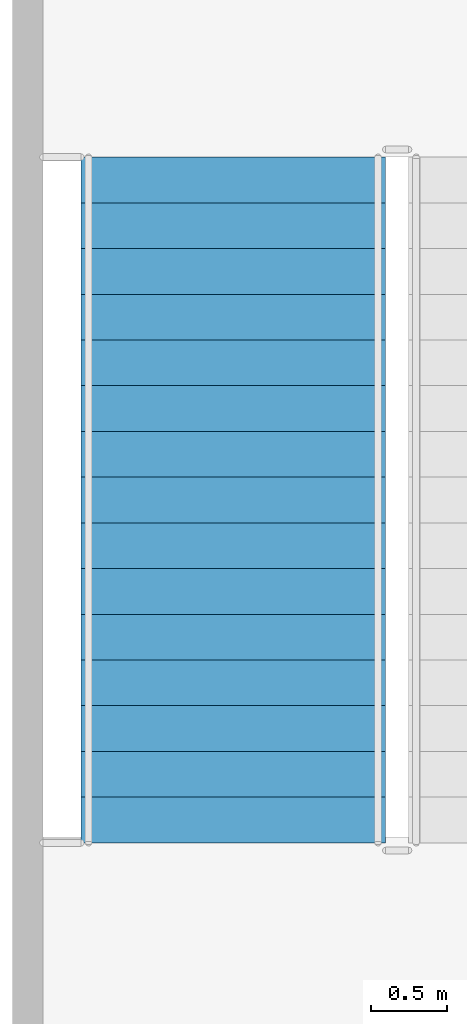
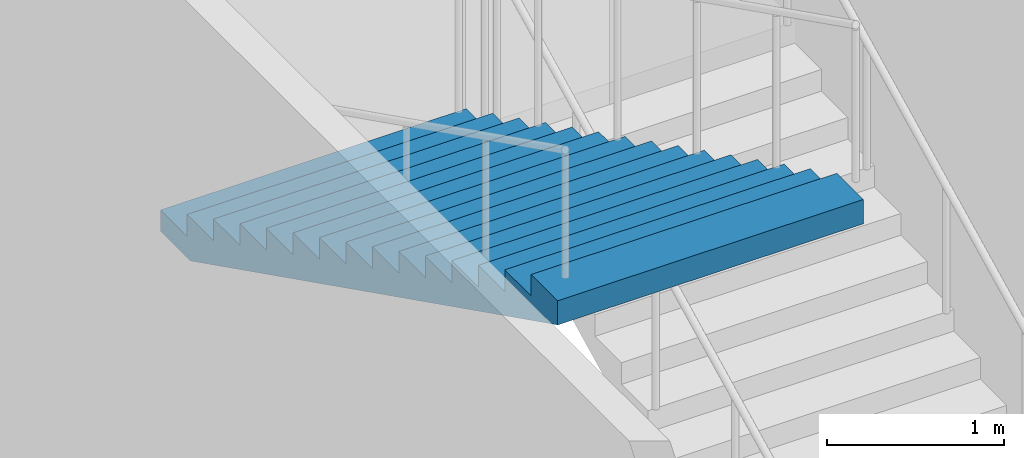
# One storey, part 45 of 91: 1 stair flight, 1 element without a shape of its own.
"""IFC4 building model written with IfcOpenShell, lengths in metres."""

from ifc_helpers import new_model, si_unit, direction, frame, origin, place, context, subcontext, project, spatial, faceted_brep, material, type_object, element, aggregate, save


model = new_model("IFC4")

# Units and contexts
model_context = context("Model", 3, precision=1e-05, world=origin(), true_north=direction((0.0, 1.0)))
body_context = subcontext(model_context, "Body", "Model", "MODEL_VIEW")
ifc_project = project(units=[si_unit("LENGTHUNIT", "METRE"), si_unit("AREAUNIT", "SQUARE_METRE"), si_unit("VOLUMEUNIT", "CUBIC_METRE"), si_unit("PLANEANGLEUNIT", "RADIAN"), si_unit("MASSUNIT", "GRAM", prefix="KILO")], contexts=[model_context])

# Site, building, storey
site_placement = place(None, origin())
site = spatial("IfcSite", under=ifc_project, at=site_placement, CompositionType="ELEMENT")
building_placement = place(site_placement, origin())
building = spatial("IfcBuilding", under=site, at=building_placement, Name="Kiln Court Media Centre", CompositionType="ELEMENT")
storey_placement = place(building_placement, frame((0.0, 0.0, 5.39990234375)))
storey = spatial("IfcBuildingStorey", under=building, at=storey_placement, Name="L01", CompositionType="ELEMENT", Elevation=5.39990234375)

# Stair, stair flight
ifc_material_1 = material(Name="Concrete C40/50", Category="concrete")
stair_type = type_object("IfcStairType", Name="Concrete C40/50 dog-leg stair 2000 wide, 150 riser", PredefinedType="HALF_TURN_STAIR", material=ifc_material_1)
stair_placement = place(storey_placement, origin())
stair = element("IfcStair", 1, at=stair_placement, inside=storey, type_object=stair_type, Name="ST-06 L01", PredefinedType="HALF_TURN_STAIR")
ifc_material_2 = material(Name="Concrete C40/50", Category="concrete")
stair_flight_type = type_object("IfcStairFlightType", Name="Concrete C40/50 stair flight 2000 wide, 150 riser, 300 going", PredefinedType="STRAIGHT", material=ifc_material_2)
stair_flight_placement = place(storey_placement, frame((1.449951171875, 40.89990234375, 2.400146484375), z_axis=(0.0, 0.0, 1.0), x_axis=(0.0, -1.0, 0.0)))
stair_flight = element("IfcStairFlight", 2, at=stair_flight_placement, type_object=stair_flight_type, Name="L01-ST-5005 flight 5011", NumberOfRisers=16, NumberOfTreads=15, PredefinedType="STRAIGHT", RiserHeight=0.15, TreadLength=0.3, context=body_context, shape_type="Brep", body=[
    faceted_brep([(0.335205078125, -1.0, 0.0), (4.5, -1.0, 2.08251953125), (4.5, -1.0, 2.25), (4.199951171875, -1.0, 2.25), (4.199951171875, -1.0, 2.10009765625), (3.89990234375, -1.0, 2.10009765625), (3.89990234375, -1.0, 1.949951171875), (3.60009765625, -1.0, 1.949951171875), (3.60009765625, -1.0, 1.800048828125), (3.300048828125, -1.0, 1.800048828125), (3.300048828125, -1.0, 1.64990234375), (3.0, -1.0, 1.64990234375), (3.0, -1.0, 1.5), (2.699951171875, -1.0, 1.5), (2.699951171875, -1.0, 1.35009765625), (2.39990234375, -1.0, 1.35009765625), (2.39990234375, -1.0, 1.199951171875), (2.10009765625, -1.0, 1.199951171875), (2.10009765625, -1.0, 1.050048828125), (1.800048828125, -1.0, 1.050048828125), (1.800048828125, -1.0, 0.89990234375), (1.5, -1.0, 0.89990234375), (1.5, -1.0, 0.75), (1.199951171875, -1.0, 0.75), (1.199951171875, -1.0, 0.60009765625), (0.89990234375, -1.0, 0.60009765625), (0.89990234375, -1.0, 0.449951171875), (0.60009765625, -1.0, 0.449951171875), (0.60009765625, -1.0, 0.300048828125), (0.300048828125, -1.0, 0.300048828125), (0.300048828125, -1.0, 0.14990234375), (0.0, -1.0, 0.14990234375), (0.0, -1.0, 0.0), (0.0, 1.0, 0.0), (0.0, 1.0, 0.14990234375), (0.300048828125, 1.0, 0.14990234375), (0.300048828125, 1.0, 0.300048828125), (0.60009765625, 1.0, 0.300048828125), (0.60009765625, 1.0, 0.449951171875), (0.89990234375, 1.0, 0.449951171875), (0.89990234375, 1.0, 0.60009765625), (1.199951171875, 1.0, 0.60009765625), (1.199951171875, 1.0, 0.75), (1.5, 1.0, 0.75), (1.5, 1.0, 0.89990234375), (1.800048828125, 1.0, 0.89990234375), (1.800048828125, 1.0, 1.050048828125), (2.10009765625, 1.0, 1.050048828125), (2.10009765625, 1.0, 1.199951171875), (2.39990234375, 1.0, 1.199951171875), (2.39990234375, 1.0, 1.35009765625), (2.699951171875, 1.0, 1.35009765625), (2.699951171875, 1.0, 1.5), (3.0, 1.0, 1.5), (3.0, 1.0, 1.64990234375), (3.300048828125, 1.0, 1.64990234375), (3.300048828125, 1.0, 1.800048828125), (3.60009765625, 1.0, 1.800048828125), (3.60009765625, 1.0, 1.949951171875), (3.89990234375, 1.0, 1.949951171875), (3.89990234375, 1.0, 2.10009765625), (4.199951171875, 1.0, 2.10009765625), (4.199951171875, 1.0, 2.25), (4.5, 1.0, 2.25), (4.5, 1.0, 2.08251953125), (0.335205078125, 1.0, 0.0), (4.5, 0.10009765625, 2.08251953125), (0.335205078125, 0.10009765625, 0.0), (4.5, 0.080078125, 2.08251953125), (0.335205078125, 0.080078125, 0.0), (4.5, 0.06005859375, 2.08251953125), (0.335205078125, 0.06005859375, 0.0), (4.5, 0.0400390625, 2.08251953125), (0.335205078125, 0.0400390625, 0.0), (4.5, 0.02001953125, 2.08251953125), (0.335205078125, 0.02001953125, 0.0), (4.5, 0.0, 2.08251953125), (0.335205078125, 0.0, 0.0), (4.5, -0.02001953125, 2.08251953125), (0.335205078125, -0.02001953125, 0.0), (4.5, -0.0400390625, 2.08251953125), (0.335205078125, -0.0400390625, 0.0), (4.5, -0.06005859375, 2.08251953125), (0.335205078125, -0.06005859375, 0.0), (4.5, -0.080078125, 2.08251953125), (0.335205078125, -0.080078125, 0.0), (4.5, -0.10009765625, 2.08251953125), (0.335205078125, -0.10009765625, 0.0), (4.5, 0.10009765625, 2.25), (4.5, 0.080078125, 2.25), (4.5, 0.06005859375, 2.25), (4.5, 0.0400390625, 2.25), (4.5, 0.02001953125, 2.25), (4.5, 0.0, 2.25), (4.5, -0.02001953125, 2.25), (4.5, -0.0400390625, 2.25), (4.5, -0.06005859375, 2.25), (4.5, -0.080078125, 2.25), (4.5, -0.10009765625, 2.25), (4.199951171875, 0.10009765625, 2.25), (4.199951171875, 0.080078125, 2.25), (4.199951171875, 0.06005859375, 2.25), (4.199951171875, 0.0400390625, 2.25), (4.199951171875, 0.02001953125, 2.25), (4.199951171875, 0.0, 2.25), (4.199951171875, -0.02001953125, 2.25), (4.199951171875, -0.0400390625, 2.25), (4.199951171875, -0.06005859375, 2.25), (4.199951171875, -0.080078125, 2.25), (4.199951171875, -0.10009765625, 2.25), (4.199951171875, 0.10009765625, 2.10009765625), (4.199951171875, 0.080078125, 2.10009765625), (4.199951171875, 0.06005859375, 2.10009765625), (4.199951171875, 0.0400390625, 2.10009765625), (4.199951171875, 0.02001953125, 2.10009765625), (4.199951171875, 0.0, 2.10009765625), (4.199951171875, -0.02001953125, 2.10009765625), (4.199951171875, -0.0400390625, 2.10009765625), (4.199951171875, -0.06005859375, 2.10009765625), (4.199951171875, -0.080078125, 2.10009765625), (4.199951171875, -0.10009765625, 2.10009765625), (3.89990234375, 0.10009765625, 2.10009765625), (3.89990234375, 0.080078125, 2.10009765625), (3.89990234375, 0.06005859375, 2.10009765625), (3.89990234375, 0.0400390625, 2.10009765625), (3.89990234375, 0.02001953125, 2.10009765625), (3.89990234375, 0.0, 2.10009765625), (3.89990234375, -0.02001953125, 2.10009765625), (3.89990234375, -0.0400390625, 2.10009765625), (3.89990234375, -0.06005859375, 2.10009765625), (3.89990234375, -0.080078125, 2.10009765625), (3.89990234375, -0.10009765625, 2.10009765625), (3.89990234375, 0.10009765625, 1.949951171875), (3.89990234375, 0.080078125, 1.949951171875), (3.89990234375, 0.06005859375, 1.949951171875), (3.89990234375, 0.0400390625, 1.949951171875), (3.89990234375, 0.02001953125, 1.949951171875), (3.89990234375, 0.0, 1.949951171875), (3.89990234375, -0.02001953125, 1.949951171875), (3.89990234375, -0.0400390625, 1.949951171875), (3.89990234375, -0.06005859375, 1.949951171875), (3.89990234375, -0.080078125, 1.949951171875), (3.89990234375, -0.10009765625, 1.949951171875), (3.60009765625, 0.10009765625, 1.949951171875), (3.60009765625, 0.080078125, 1.949951171875), (3.60009765625, 0.06005859375, 1.949951171875), (3.60009765625, 0.0400390625, 1.949951171875), (3.60009765625, 0.02001953125, 1.949951171875), (3.60009765625, 0.0, 1.949951171875), (3.60009765625, -0.02001953125, 1.949951171875), (3.60009765625, -0.0400390625, 1.949951171875), (3.60009765625, -0.06005859375, 1.949951171875), (3.60009765625, -0.080078125, 1.949951171875), (3.60009765625, -0.10009765625, 1.949951171875), (3.60009765625, 0.10009765625, 1.800048828125), (3.60009765625, 0.080078125, 1.800048828125), (3.60009765625, 0.06005859375, 1.800048828125), (3.60009765625, 0.0400390625, 1.800048828125), (3.60009765625, 0.02001953125, 1.800048828125), (3.60009765625, 0.0, 1.800048828125), (3.60009765625, -0.02001953125, 1.800048828125), (3.60009765625, -0.0400390625, 1.800048828125), (3.60009765625, -0.06005859375, 1.800048828125), (3.60009765625, -0.080078125, 1.800048828125), (3.60009765625, -0.10009765625, 1.800048828125), (3.300048828125, 0.10009765625, 1.800048828125), (3.300048828125, 0.080078125, 1.800048828125), (3.300048828125, 0.06005859375, 1.800048828125), (3.300048828125, 0.0400390625, 1.800048828125), (3.300048828125, 0.02001953125, 1.800048828125), (3.300048828125, 0.0, 1.800048828125), (3.300048828125, -0.02001953125, 1.800048828125), (3.300048828125, -0.0400390625, 1.800048828125), (3.300048828125, -0.06005859375, 1.800048828125), (3.300048828125, -0.080078125, 1.800048828125), (3.300048828125, -0.10009765625, 1.800048828125), (3.300048828125, 0.10009765625, 1.64990234375), (3.300048828125, 0.080078125, 1.64990234375), (3.300048828125, 0.06005859375, 1.64990234375), (3.300048828125, 0.0400390625, 1.64990234375), (3.300048828125, 0.02001953125, 1.64990234375), (3.300048828125, 0.0, 1.64990234375), (3.300048828125, -0.02001953125, 1.64990234375), (3.300048828125, -0.0400390625, 1.64990234375), (3.300048828125, -0.06005859375, 1.64990234375), (3.300048828125, -0.080078125, 1.64990234375), (3.300048828125, -0.10009765625, 1.64990234375), (3.0, 0.10009765625, 1.64990234375), (3.0, 0.080078125, 1.64990234375), (3.0, 0.06005859375, 1.64990234375), (3.0, 0.0400390625, 1.64990234375), (3.0, 0.02001953125, 1.64990234375), (3.0, 0.0, 1.64990234375), (3.0, -0.02001953125, 1.64990234375), (3.0, -0.0400390625, 1.64990234375), (3.0, -0.06005859375, 1.64990234375), (3.0, -0.080078125, 1.64990234375), (3.0, -0.10009765625, 1.64990234375), (3.0, 0.10009765625, 1.5), (3.0, 0.080078125, 1.5), (3.0, 0.06005859375, 1.5), (3.0, 0.0400390625, 1.5), (3.0, 0.02001953125, 1.5), (3.0, 0.0, 1.5), (3.0, -0.02001953125, 1.5), (3.0, -0.0400390625, 1.5), (3.0, -0.06005859375, 1.5), (3.0, -0.080078125, 1.5), (3.0, -0.10009765625, 1.5), (2.699951171875, 0.10009765625, 1.5), (2.699951171875, 0.080078125, 1.5), (2.699951171875, 0.06005859375, 1.5), (2.699951171875, 0.0400390625, 1.5), (2.699951171875, 0.02001953125, 1.5), (2.699951171875, 0.0, 1.5), (2.699951171875, -0.02001953125, 1.5), (2.699951171875, -0.0400390625, 1.5), (2.699951171875, -0.06005859375, 1.5), (2.699951171875, -0.080078125, 1.5), (2.699951171875, -0.10009765625, 1.5), (2.699951171875, 0.10009765625, 1.35009765625), (2.699951171875, 0.080078125, 1.35009765625), (2.699951171875, 0.06005859375, 1.35009765625), (2.699951171875, 0.0400390625, 1.35009765625), (2.699951171875, 0.02001953125, 1.35009765625), (2.699951171875, 0.0, 1.35009765625), (2.699951171875, -0.02001953125, 1.35009765625), (2.699951171875, -0.0400390625, 1.35009765625), (2.699951171875, -0.06005859375, 1.35009765625), (2.699951171875, -0.080078125, 1.35009765625), (2.699951171875, -0.10009765625, 1.35009765625), (2.39990234375, 0.10009765625, 1.35009765625), (2.39990234375, 0.080078125, 1.35009765625), (2.39990234375, 0.06005859375, 1.35009765625), (2.39990234375, 0.0400390625, 1.35009765625), (2.39990234375, 0.02001953125, 1.35009765625), (2.39990234375, 0.0, 1.35009765625), (2.39990234375, -0.02001953125, 1.35009765625), (2.39990234375, -0.0400390625, 1.35009765625), (2.39990234375, -0.06005859375, 1.35009765625), (2.39990234375, -0.080078125, 1.35009765625), (2.39990234375, -0.10009765625, 1.35009765625), (2.39990234375, 0.10009765625, 1.199951171875), (2.39990234375, 0.080078125, 1.199951171875), (2.39990234375, 0.06005859375, 1.199951171875), (2.39990234375, 0.0400390625, 1.199951171875), (2.39990234375, 0.02001953125, 1.199951171875), (2.39990234375, 0.0, 1.199951171875), (2.39990234375, -0.02001953125, 1.199951171875), (2.39990234375, -0.0400390625, 1.199951171875), (2.39990234375, -0.06005859375, 1.199951171875), (2.39990234375, -0.080078125, 1.199951171875), (2.39990234375, -0.10009765625, 1.199951171875), (2.10009765625, 0.10009765625, 1.199951171875), (2.10009765625, 0.080078125, 1.199951171875), (2.10009765625, 0.06005859375, 1.199951171875), (2.10009765625, 0.0400390625, 1.199951171875), (2.10009765625, 0.02001953125, 1.199951171875), (2.10009765625, 0.0, 1.199951171875), (2.10009765625, -0.02001953125, 1.199951171875), (2.10009765625, -0.0400390625, 1.199951171875), (2.10009765625, -0.06005859375, 1.199951171875), (2.10009765625, -0.080078125, 1.199951171875), (2.10009765625, -0.10009765625, 1.199951171875), (2.10009765625, 0.10009765625, 1.050048828125), (2.10009765625, 0.080078125, 1.050048828125), (2.10009765625, 0.06005859375, 1.050048828125), (2.10009765625, 0.0400390625, 1.050048828125), (2.10009765625, 0.02001953125, 1.050048828125), (2.10009765625, 0.0, 1.050048828125), (2.10009765625, -0.02001953125, 1.050048828125), (2.10009765625, -0.0400390625, 1.050048828125), (2.10009765625, -0.06005859375, 1.050048828125), (2.10009765625, -0.080078125, 1.050048828125), (2.10009765625, -0.10009765625, 1.050048828125), (1.800048828125, 0.10009765625, 1.050048828125), (1.800048828125, 0.080078125, 1.050048828125), (1.800048828125, 0.06005859375, 1.050048828125), (1.800048828125, 0.0400390625, 1.050048828125), (1.800048828125, 0.02001953125, 1.050048828125), (1.800048828125, 0.0, 1.050048828125), (1.800048828125, -0.02001953125, 1.050048828125), (1.800048828125, -0.0400390625, 1.050048828125), (1.800048828125, -0.06005859375, 1.050048828125), (1.800048828125, -0.080078125, 1.050048828125), (1.800048828125, -0.10009765625, 1.050048828125), (1.800048828125, 0.10009765625, 0.89990234375), (1.800048828125, 0.080078125, 0.89990234375), (1.800048828125, 0.06005859375, 0.89990234375), (1.800048828125, 0.0400390625, 0.89990234375), (1.800048828125, 0.02001953125, 0.89990234375), (1.800048828125, 0.0, 0.89990234375), (1.800048828125, -0.02001953125, 0.89990234375), (1.800048828125, -0.0400390625, 0.89990234375), (1.800048828125, -0.06005859375, 0.89990234375), (1.800048828125, -0.080078125, 0.89990234375), (1.800048828125, -0.10009765625, 0.89990234375), (1.5, 0.10009765625, 0.89990234375), (1.5, 0.080078125, 0.89990234375), (1.5, 0.06005859375, 0.89990234375), (1.5, 0.0400390625, 0.89990234375), (1.5, 0.02001953125, 0.89990234375), (1.5, 0.0, 0.89990234375), (1.5, -0.02001953125, 0.89990234375), (1.5, -0.0400390625, 0.89990234375), (1.5, -0.06005859375, 0.89990234375), (1.5, -0.080078125, 0.89990234375), (1.5, -0.10009765625, 0.89990234375), (1.5, 0.10009765625, 0.75), (1.5, 0.080078125, 0.75), (1.5, 0.06005859375, 0.75), (1.5, 0.0400390625, 0.75), (1.5, 0.02001953125, 0.75), (1.5, 0.0, 0.75), (1.5, -0.02001953125, 0.75), (1.5, -0.0400390625, 0.75), (1.5, -0.06005859375, 0.75), (1.5, -0.080078125, 0.75), (1.5, -0.10009765625, 0.75), (1.199951171875, 0.10009765625, 0.75), (1.199951171875, 0.080078125, 0.75), (1.199951171875, 0.06005859375, 0.75), (1.199951171875, 0.0400390625, 0.75), (1.199951171875, 0.02001953125, 0.75), (1.199951171875, 0.0, 0.75), (1.199951171875, -0.02001953125, 0.75), (1.199951171875, -0.0400390625, 0.75), (1.199951171875, -0.06005859375, 0.75), (1.199951171875, -0.080078125, 0.75), (1.199951171875, -0.10009765625, 0.75), (1.199951171875, 0.10009765625, 0.60009765625), (1.199951171875, 0.080078125, 0.60009765625), (1.199951171875, 0.06005859375, 0.60009765625), (1.199951171875, 0.0400390625, 0.60009765625), (1.199951171875, 0.02001953125, 0.60009765625), (1.199951171875, 0.0, 0.60009765625), (1.199951171875, -0.02001953125, 0.60009765625), (1.199951171875, -0.0400390625, 0.60009765625), (1.199951171875, -0.06005859375, 0.60009765625), (1.199951171875, -0.080078125, 0.60009765625), (1.199951171875, -0.10009765625, 0.60009765625), (0.89990234375, 0.10009765625, 0.60009765625), (0.89990234375, 0.080078125, 0.60009765625), (0.89990234375, 0.06005859375, 0.60009765625), (0.89990234375, 0.0400390625, 0.60009765625), (0.89990234375, 0.02001953125, 0.60009765625), (0.89990234375, 0.0, 0.60009765625), (0.89990234375, -0.02001953125, 0.60009765625), (0.89990234375, -0.0400390625, 0.60009765625), (0.89990234375, -0.06005859375, 0.60009765625), (0.89990234375, -0.080078125, 0.60009765625), (0.89990234375, -0.10009765625, 0.60009765625), (0.89990234375, 0.10009765625, 0.449951171875), (0.89990234375, 0.080078125, 0.449951171875), (0.89990234375, 0.06005859375, 0.449951171875), (0.89990234375, 0.0400390625, 0.449951171875), (0.89990234375, 0.02001953125, 0.449951171875), (0.89990234375, 0.0, 0.449951171875), (0.89990234375, -0.02001953125, 0.449951171875), (0.89990234375, -0.0400390625, 0.449951171875), (0.89990234375, -0.06005859375, 0.449951171875), (0.89990234375, -0.080078125, 0.449951171875), (0.89990234375, -0.10009765625, 0.449951171875), (0.60009765625, 0.10009765625, 0.449951171875), (0.60009765625, 0.080078125, 0.449951171875), (0.60009765625, 0.06005859375, 0.449951171875), (0.60009765625, 0.0400390625, 0.449951171875), (0.60009765625, 0.02001953125, 0.449951171875), (0.60009765625, 0.0, 0.449951171875), (0.60009765625, -0.02001953125, 0.449951171875), (0.60009765625, -0.0400390625, 0.449951171875), (0.60009765625, -0.06005859375, 0.449951171875), (0.60009765625, -0.080078125, 0.449951171875), (0.60009765625, -0.10009765625, 0.449951171875), (0.60009765625, 0.10009765625, 0.300048828125), (0.60009765625, 0.080078125, 0.300048828125), (0.60009765625, 0.06005859375, 0.300048828125), (0.60009765625, 0.0400390625, 0.300048828125), (0.60009765625, 0.02001953125, 0.300048828125), (0.60009765625, 0.0, 0.300048828125), (0.60009765625, -0.02001953125, 0.300048828125), (0.60009765625, -0.0400390625, 0.300048828125), (0.60009765625, -0.06005859375, 0.300048828125), (0.60009765625, -0.080078125, 0.300048828125), (0.60009765625, -0.10009765625, 0.300048828125), (0.300048828125, 0.10009765625, 0.300048828125), (0.300048828125, 0.080078125, 0.300048828125), (0.300048828125, 0.06005859375, 0.300048828125), (0.300048828125, 0.0400390625, 0.300048828125), (0.300048828125, 0.02001953125, 0.300048828125), (0.300048828125, 0.0, 0.300048828125), (0.300048828125, -0.02001953125, 0.300048828125), (0.300048828125, -0.0400390625, 0.300048828125), (0.300048828125, -0.06005859375, 0.300048828125), (0.300048828125, -0.080078125, 0.300048828125), (0.300048828125, -0.10009765625, 0.300048828125), (0.300048828125, 0.10009765625, 0.14990234375), (0.300048828125, 0.080078125, 0.14990234375), (0.300048828125, 0.06005859375, 0.14990234375), (0.300048828125, 0.0400390625, 0.14990234375), (0.300048828125, 0.02001953125, 0.14990234375), (0.300048828125, 0.0, 0.14990234375), (0.300048828125, -0.02001953125, 0.14990234375), (0.300048828125, -0.0400390625, 0.14990234375), (0.300048828125, -0.06005859375, 0.14990234375), (0.300048828125, -0.080078125, 0.14990234375), (0.300048828125, -0.10009765625, 0.14990234375), (0.0, 0.10009765625, 0.14990234375), (0.0, 0.080078125, 0.14990234375), (0.0, 0.06005859375, 0.14990234375), (0.0, 0.0400390625, 0.14990234375), (0.0, 0.02001953125, 0.14990234375), (0.0, 0.0, 0.14990234375), (0.0, -0.02001953125, 0.14990234375), (0.0, -0.0400390625, 0.14990234375), (0.0, -0.06005859375, 0.14990234375), (0.0, -0.080078125, 0.14990234375), (0.0, -0.10009765625, 0.14990234375), (0.0, 0.10009765625, 0.0), (0.0, 0.080078125, 0.0), (0.0, 0.06005859375, 0.0), (0.0, 0.0400390625, 0.0), (0.0, 0.02001953125, 0.0), (0.0, 0.0, 0.0), (0.0, -0.02001953125, 0.0), (0.0, -0.0400390625, 0.0), (0.0, -0.06005859375, 0.0), (0.0, -0.080078125, 0.0), (0.0, -0.10009765625, 0.0)], [[[0, 1, 2, 3, 4, 5, 6, 7, 8, 9, 10, 11, 12, 13, 14, 15, 16, 17, 18, 19, 20, 21, 22, 23, 24, 25, 26, 27, 28, 29, 30, 31, 32]], [[33, 34, 35, 36, 37, 38, 39, 40, 41, 42, 43, 44, 45, 46, 47, 48, 49, 50, 51, 52, 53, 54, 55, 56, 57, 58, 59, 60, 61, 62, 63, 64, 65]], [[65, 64, 66, 67]], [[67, 66, 68, 69]], [[69, 68, 70, 71]], [[71, 70, 72, 73]], [[73, 72, 74, 75]], [[75, 74, 76, 77]], [[77, 76, 78, 79]], [[79, 78, 80, 81]], [[81, 80, 82, 83]], [[83, 82, 84, 85]], [[85, 84, 86, 87]], [[87, 86, 1, 0]], [[64, 63, 88, 66]], [[66, 88, 89, 68]], [[68, 89, 90, 70]], [[70, 90, 91, 72]], [[72, 91, 92, 74]], [[74, 92, 93, 76]], [[76, 93, 94, 78]], [[78, 94, 95, 80]], [[80, 95, 96, 82]], [[82, 96, 97, 84]], [[84, 97, 98, 86]], [[86, 98, 2, 1]], [[63, 62, 99, 88]], [[88, 99, 100, 89]], [[89, 100, 101, 90]], [[90, 101, 102, 91]], [[91, 102, 103, 92]], [[92, 103, 104, 93]], [[93, 104, 105, 94]], [[94, 105, 106, 95]], [[95, 106, 107, 96]], [[96, 107, 108, 97]], [[97, 108, 109, 98]], [[98, 109, 3, 2]], [[62, 61, 110, 99]], [[99, 110, 111, 100]], [[100, 111, 112, 101]], [[101, 112, 113, 102]], [[102, 113, 114, 103]], [[103, 114, 115, 104]], [[104, 115, 116, 105]], [[105, 116, 117, 106]], [[106, 117, 118, 107]], [[107, 118, 119, 108]], [[108, 119, 120, 109]], [[109, 120, 4, 3]], [[61, 60, 121, 110]], [[110, 121, 122, 111]], [[111, 122, 123, 112]], [[112, 123, 124, 113]], [[113, 124, 125, 114]], [[114, 125, 126, 115]], [[115, 126, 127, 116]], [[116, 127, 128, 117]], [[117, 128, 129, 118]], [[118, 129, 130, 119]], [[119, 130, 131, 120]], [[120, 131, 5, 4]], [[60, 59, 132, 121]], [[121, 132, 133, 122]], [[122, 133, 134, 123]], [[123, 134, 135, 124]], [[124, 135, 136, 125]], [[125, 136, 137, 126]], [[126, 137, 138, 127]], [[127, 138, 139, 128]], [[128, 139, 140, 129]], [[129, 140, 141, 130]], [[130, 141, 142, 131]], [[131, 142, 6, 5]], [[59, 58, 143, 132]], [[132, 143, 144, 133]], [[133, 144, 145, 134]], [[134, 145, 146, 135]], [[135, 146, 147, 136]], [[136, 147, 148, 137]], [[137, 148, 149, 138]], [[138, 149, 150, 139]], [[139, 150, 151, 140]], [[140, 151, 152, 141]], [[141, 152, 153, 142]], [[142, 153, 7, 6]], [[58, 57, 154, 143]], [[143, 154, 155, 144]], [[144, 155, 156, 145]], [[145, 156, 157, 146]], [[146, 157, 158, 147]], [[147, 158, 159, 148]], [[148, 159, 160, 149]], [[149, 160, 161, 150]], [[150, 161, 162, 151]], [[151, 162, 163, 152]], [[152, 163, 164, 153]], [[153, 164, 8, 7]], [[57, 56, 165, 154]], [[154, 165, 166, 155]], [[155, 166, 167, 156]], [[156, 167, 168, 157]], [[157, 168, 169, 158]], [[158, 169, 170, 159]], [[159, 170, 171, 160]], [[160, 171, 172, 161]], [[161, 172, 173, 162]], [[162, 173, 174, 163]], [[163, 174, 175, 164]], [[164, 175, 9, 8]], [[56, 55, 176, 165]], [[165, 176, 177, 166]], [[166, 177, 178, 167]], [[167, 178, 179, 168]], [[168, 179, 180, 169]], [[169, 180, 181, 170]], [[170, 181, 182, 171]], [[171, 182, 183, 172]], [[172, 183, 184, 173]], [[173, 184, 185, 174]], [[174, 185, 186, 175]], [[175, 186, 10, 9]], [[55, 54, 187, 176]], [[176, 187, 188, 177]], [[177, 188, 189, 178]], [[178, 189, 190, 179]], [[179, 190, 191, 180]], [[180, 191, 192, 181]], [[181, 192, 193, 182]], [[182, 193, 194, 183]], [[183, 194, 195, 184]], [[184, 195, 196, 185]], [[185, 196, 197, 186]], [[186, 197, 11, 10]], [[54, 53, 198, 187]], [[187, 198, 199, 188]], [[188, 199, 200, 189]], [[189, 200, 201, 190]], [[190, 201, 202, 191]], [[191, 202, 203, 192]], [[192, 203, 204, 193]], [[193, 204, 205, 194]], [[194, 205, 206, 195]], [[195, 206, 207, 196]], [[196, 207, 208, 197]], [[197, 208, 12, 11]], [[53, 52, 209, 198]], [[198, 209, 210, 199]], [[199, 210, 211, 200]], [[200, 211, 212, 201]], [[201, 212, 213, 202]], [[202, 213, 214, 203]], [[203, 214, 215, 204]], [[204, 215, 216, 205]], [[205, 216, 217, 206]], [[206, 217, 218, 207]], [[207, 218, 219, 208]], [[208, 219, 13, 12]], [[52, 51, 220, 209]], [[209, 220, 221, 210]], [[210, 221, 222, 211]], [[211, 222, 223, 212]], [[212, 223, 224, 213]], [[213, 224, 225, 214]], [[214, 225, 226, 215]], [[215, 226, 227, 216]], [[216, 227, 228, 217]], [[217, 228, 229, 218]], [[218, 229, 230, 219]], [[219, 230, 14, 13]], [[51, 50, 231, 220]], [[220, 231, 232, 221]], [[221, 232, 233, 222]], [[222, 233, 234, 223]], [[223, 234, 235, 224]], [[224, 235, 236, 225]], [[225, 236, 237, 226]], [[226, 237, 238, 227]], [[227, 238, 239, 228]], [[228, 239, 240, 229]], [[229, 240, 241, 230]], [[230, 241, 15, 14]], [[50, 49, 242, 231]], [[231, 242, 243, 232]], [[232, 243, 244, 233]], [[233, 244, 245, 234]], [[234, 245, 246, 235]], [[235, 246, 247, 236]], [[236, 247, 248, 237]], [[237, 248, 249, 238]], [[238, 249, 250, 239]], [[239, 250, 251, 240]], [[240, 251, 252, 241]], [[241, 252, 16, 15]], [[49, 48, 253, 242]], [[242, 253, 254, 243]], [[243, 254, 255, 244]], [[244, 255, 256, 245]], [[245, 256, 257, 246]], [[246, 257, 258, 247]], [[247, 258, 259, 248]], [[248, 259, 260, 249]], [[249, 260, 261, 250]], [[250, 261, 262, 251]], [[251, 262, 263, 252]], [[252, 263, 17, 16]], [[48, 47, 264, 253]], [[253, 264, 265, 254]], [[254, 265, 266, 255]], [[255, 266, 267, 256]], [[256, 267, 268, 257]], [[257, 268, 269, 258]], [[258, 269, 270, 259]], [[259, 270, 271, 260]], [[260, 271, 272, 261]], [[261, 272, 273, 262]], [[262, 273, 274, 263]], [[263, 274, 18, 17]], [[47, 46, 275, 264]], [[264, 275, 276, 265]], [[265, 276, 277, 266]], [[266, 277, 278, 267]], [[267, 278, 279, 268]], [[268, 279, 280, 269]], [[269, 280, 281, 270]], [[270, 281, 282, 271]], [[271, 282, 283, 272]], [[272, 283, 284, 273]], [[273, 284, 285, 274]], [[274, 285, 19, 18]], [[46, 45, 286, 275]], [[275, 286, 287, 276]], [[276, 287, 288, 277]], [[277, 288, 289, 278]], [[278, 289, 290, 279]], [[279, 290, 291, 280]], [[280, 291, 292, 281]], [[281, 292, 293, 282]], [[282, 293, 294, 283]], [[283, 294, 295, 284]], [[284, 295, 296, 285]], [[285, 296, 20, 19]], [[45, 44, 297, 286]], [[286, 297, 298, 287]], [[287, 298, 299, 288]], [[288, 299, 300, 289]], [[289, 300, 301, 290]], [[290, 301, 302, 291]], [[291, 302, 303, 292]], [[292, 303, 304, 293]], [[293, 304, 305, 294]], [[294, 305, 306, 295]], [[295, 306, 307, 296]], [[296, 307, 21, 20]], [[44, 43, 308, 297]], [[297, 308, 309, 298]], [[298, 309, 310, 299]], [[299, 310, 311, 300]], [[300, 311, 312, 301]], [[301, 312, 313, 302]], [[302, 313, 314, 303]], [[303, 314, 315, 304]], [[304, 315, 316, 305]], [[305, 316, 317, 306]], [[306, 317, 318, 307]], [[307, 318, 22, 21]], [[43, 42, 319, 308]], [[308, 319, 320, 309]], [[309, 320, 321, 310]], [[310, 321, 322, 311]], [[311, 322, 323, 312]], [[312, 323, 324, 313]], [[313, 324, 325, 314]], [[314, 325, 326, 315]], [[315, 326, 327, 316]], [[316, 327, 328, 317]], [[317, 328, 329, 318]], [[318, 329, 23, 22]], [[42, 41, 330, 319]], [[319, 330, 331, 320]], [[320, 331, 332, 321]], [[321, 332, 333, 322]], [[322, 333, 334, 323]], [[323, 334, 335, 324]], [[324, 335, 336, 325]], [[325, 336, 337, 326]], [[326, 337, 338, 327]], [[327, 338, 339, 328]], [[328, 339, 340, 329]], [[329, 340, 24, 23]], [[41, 40, 341, 330]], [[330, 341, 342, 331]], [[331, 342, 343, 332]], [[332, 343, 344, 333]], [[333, 344, 345, 334]], [[334, 345, 346, 335]], [[335, 346, 347, 336]], [[336, 347, 348, 337]], [[337, 348, 349, 338]], [[338, 349, 350, 339]], [[339, 350, 351, 340]], [[340, 351, 25, 24]], [[40, 39, 352, 341]], [[341, 352, 353, 342]], [[342, 353, 354, 343]], [[343, 354, 355, 344]], [[344, 355, 356, 345]], [[345, 356, 357, 346]], [[346, 357, 358, 347]], [[347, 358, 359, 348]], [[348, 359, 360, 349]], [[349, 360, 361, 350]], [[350, 361, 362, 351]], [[351, 362, 26, 25]], [[39, 38, 363, 352]], [[352, 363, 364, 353]], [[353, 364, 365, 354]], [[354, 365, 366, 355]], [[355, 366, 367, 356]], [[356, 367, 368, 357]], [[357, 368, 369, 358]], [[358, 369, 370, 359]], [[359, 370, 371, 360]], [[360, 371, 372, 361]], [[361, 372, 373, 362]], [[362, 373, 27, 26]], [[38, 37, 374, 363]], [[363, 374, 375, 364]], [[364, 375, 376, 365]], [[365, 376, 377, 366]], [[366, 377, 378, 367]], [[367, 378, 379, 368]], [[368, 379, 380, 369]], [[369, 380, 381, 370]], [[370, 381, 382, 371]], [[371, 382, 383, 372]], [[372, 383, 384, 373]], [[373, 384, 28, 27]], [[37, 36, 385, 374]], [[374, 385, 386, 375]], [[375, 386, 387, 376]], [[376, 387, 388, 377]], [[377, 388, 389, 378]], [[378, 389, 390, 379]], [[379, 390, 391, 380]], [[380, 391, 392, 381]], [[381, 392, 393, 382]], [[382, 393, 394, 383]], [[383, 394, 395, 384]], [[384, 395, 29, 28]], [[36, 35, 396, 385]], [[385, 396, 397, 386]], [[386, 397, 398, 387]], [[387, 398, 399, 388]], [[388, 399, 400, 389]], [[389, 400, 401, 390]], [[390, 401, 402, 391]], [[391, 402, 403, 392]], [[392, 403, 404, 393]], [[393, 404, 405, 394]], [[394, 405, 406, 395]], [[395, 406, 30, 29]], [[35, 34, 407, 396]], [[396, 407, 408, 397]], [[397, 408, 409, 398]], [[398, 409, 410, 399]], [[399, 410, 411, 400]], [[400, 411, 412, 401]], [[401, 412, 413, 402]], [[402, 413, 414, 403]], [[403, 414, 415, 404]], [[404, 415, 416, 405]], [[405, 416, 417, 406]], [[406, 417, 31, 30]], [[34, 33, 418, 407]], [[407, 418, 419, 408]], [[408, 419, 420, 409]], [[409, 420, 421, 410]], [[410, 421, 422, 411]], [[411, 422, 423, 412]], [[412, 423, 424, 413]], [[413, 424, 425, 414]], [[414, 425, 426, 415]], [[415, 426, 427, 416]], [[416, 427, 428, 417]], [[417, 428, 32, 31]], [[33, 65, 67, 418]], [[418, 67, 69, 419]], [[419, 69, 71, 420]], [[420, 71, 73, 421]], [[421, 73, 75, 422]], [[422, 75, 77, 423]], [[423, 77, 79, 424]], [[424, 79, 81, 425]], [[425, 81, 83, 426]], [[426, 83, 85, 427]], [[427, 85, 87, 428]], [[428, 87, 0, 32]]]),
])
aggregate(stair, [stair_flight])

save(model, "model.ifc")
